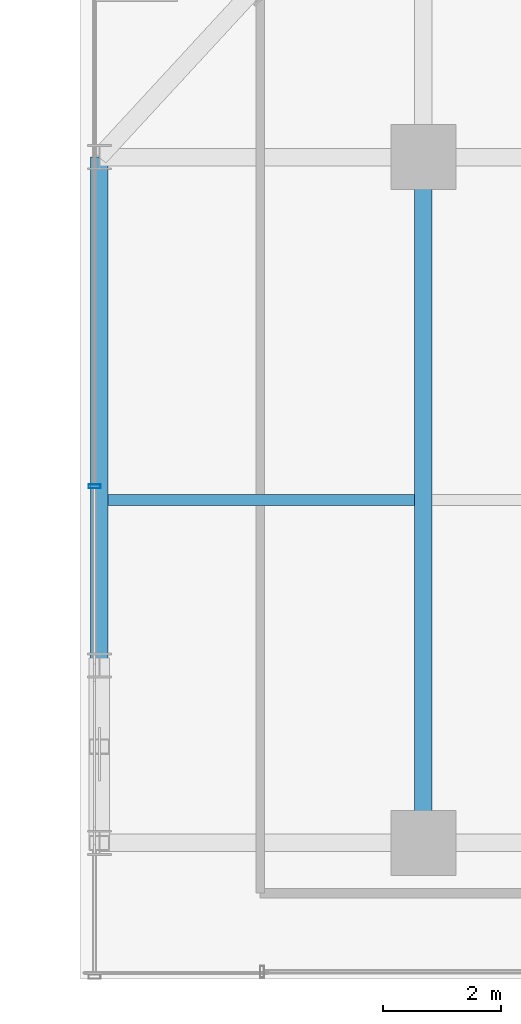
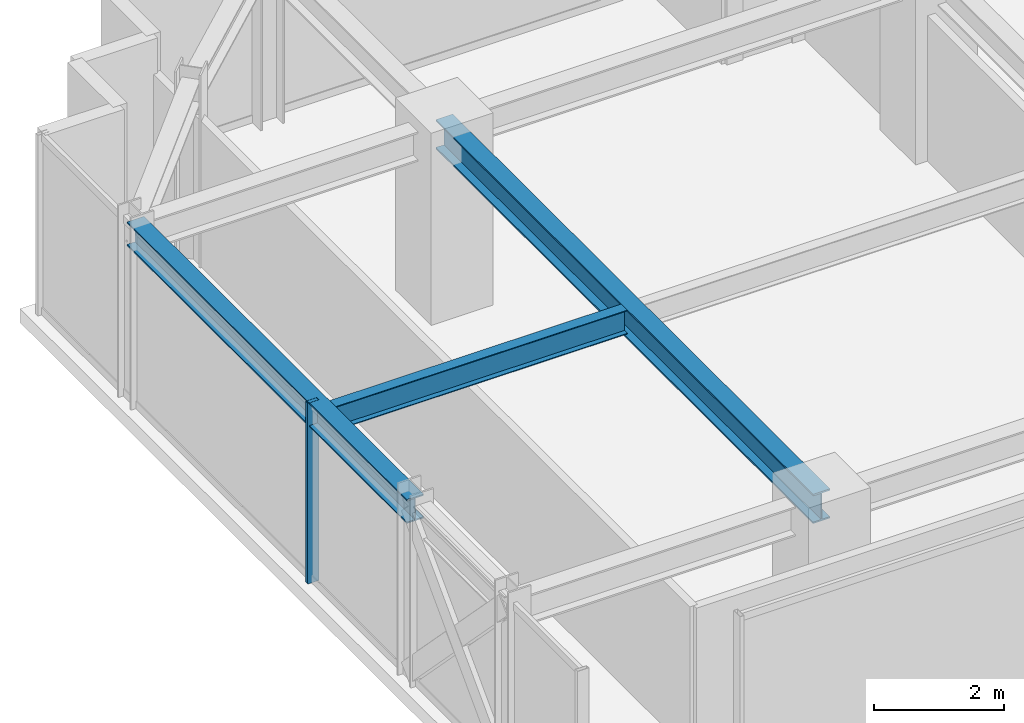
# One storey, part 20 of 36: 3 beams, 1 member, 1 element without a shape of its own.
"""IFC4 building model written with IfcOpenShell, lengths in metres."""

from ifc_helpers import new_model, si_unit, direction, frame, origin, origin_2d, place, context, subcontext, project, spatial, hollow_rectangle, i_section, extrude, source, transform, mapped, material, material_profile, profile_set, type_object, element, aggregate, save


model = new_model("IFC4")

# Units and contexts
model_context = context("Model", 3, precision=1e-05, world=origin(), true_north=direction((0.0, 1.0)))
body_context = subcontext(model_context, "Body", "Model", "MODEL_VIEW")
ifc_project = project(units=[si_unit("LENGTHUNIT", "METRE"), si_unit("AREAUNIT", "SQUARE_METRE"), si_unit("VOLUMEUNIT", "CUBIC_METRE"), si_unit("PLANEANGLEUNIT", "RADIAN"), si_unit("MASSUNIT", "GRAM", prefix="KILO")], contexts=[model_context])

# Site, building, storey
site_placement = place(None, origin())
site = spatial("IfcSite", under=ifc_project, at=site_placement, CompositionType="ELEMENT")
building_placement = place(site_placement, origin())
building = spatial("IfcBuilding", under=site, at=building_placement, Name="Nahalor Promenade Grand Hotel", CompositionType="ELEMENT")
storey_placement = place(building_placement, frame((0.0, 0.0, 170.89990234375)))
storey = spatial("IfcBuildingStorey", under=building, at=storey_placement, Name="L43", CompositionType="ELEMENT", Elevation=170.89990234375)

# Beams
ifc_material_1 = material(Name="Steel S355JR", Category="steel")
ifc_material_profile_1 = material_profile(ifc_material_1, i_section(OverallWidth=0.3, OverallDepth=0.55, WebThickness=0.015, FlangeThickness=0.029, at=origin_2d()), Name="HEB 550")
ifc_profile_set_1 = profile_set([ifc_material_profile_1], Name="Steel S355JR")
beam_type_1 = type_object("IfcBeamType", Name="Beam-Girder-HEB550", PredefinedType="BEAM", material=ifc_profile_set_1)
shared_shape_1 = source(origin(), body_context, "Body", "SweptSolid", [
    extrude(i_section(OverallWidth=0.3, OverallDepth=0.55, WebThickness=0.015, FlangeThickness=0.029, at=origin_2d()), origin(), (0.0, 0.0, 1.0), 11.60009765625),
])
beam_1_placement = place(storey_placement, frame((-17.0, 5.39990234375, 3.114990234375), z_axis=(0.0, 1.0, 0.0), x_axis=(-1.0, 0.0, 0.0)))
element("IfcBeam", 1, at=beam_1_placement, inside=storey, type_object=beam_type_1, Name="BM-L43-GY-0-3", PredefinedType="BEAM", context=body_context, shape_type="MappedRepresentation", body=[
    mapped(shared_shape_1, transform((0.0, 0.0, 0.0), scale=1.0)),
])
ifc_material_profile_2 = material_profile(ifc_material_1, i_section(OverallWidth=0.19, OverallDepth=0.45, WebThickness=0.0094, FlangeThickness=0.0146, at=origin_2d()), Name="IPE 450")
ifc_profile_set_2 = profile_set([ifc_material_profile_2], Name="Steel S355JR")
beam_type_2 = type_object("IfcBeamType", Name="Beam-Joist-IPE450", PredefinedType="JOIST", material=ifc_profile_set_2)
shared_shape_2 = source(origin(), body_context, "Body", "SweptSolid", [
    extrude(i_section(OverallWidth=0.19, OverallDepth=0.45, WebThickness=0.0094, FlangeThickness=0.0146, at=origin_2d()), origin(), (0.0, 0.0, 1.0), 5.18017578125),
])
beam_2_placement = place(storey_placement, frame((-22.330078125, 11.199951171875, 3.1650390625), z_axis=(1.0, 0.0, 0.0), x_axis=(0.0, 1.0, 0.0)))
element("IfcBeam", 2, at=beam_2_placement, inside=storey, type_object=beam_type_2, Name="BM-L43-JSW-1-0", PredefinedType="JOIST", context=body_context, shape_type="MappedRepresentation", body=[
    mapped(shared_shape_2, transform((0.0, 0.0, 0.0), scale=1.0)),
])
ifc_material_profile_3 = material_profile(ifc_material_1, i_section(OverallWidth=0.3, OverallDepth=0.45, WebThickness=0.014, FlangeThickness=0.026, at=origin_2d()), Name="HEB 450")
ifc_profile_set_3 = profile_set([ifc_material_profile_3], Name="Steel S355JR")
beam_type_3 = type_object("IfcBeamType", Name="Beam-Spandrel-HEB450", PredefinedType="SPANDREL", material=ifc_profile_set_3)
shared_shape_3 = source(origin(), body_context, "Body", "SweptSolid", [
    extrude(i_section(OverallWidth=0.3, OverallDepth=0.45, WebThickness=0.014, FlangeThickness=0.026, at=origin_2d()), origin(), (0.0, 0.0, 1.0), 8.60009765625),
])
beam_3_placement = place(storey_placement, frame((-22.47998046875, 8.39990234375, 3.1650390625), z_axis=(0.0, 1.0, 0.0), x_axis=(-1.0, 0.0, 0.0)))
element("IfcBeam", 3, at=beam_3_placement, inside=storey, type_object=beam_type_3, Name="BM-L43-SP-W-4", PredefinedType="SPANDREL", context=body_context, shape_type="MappedRepresentation", body=[
    mapped(shared_shape_3, transform((0.0, 0.0, 0.0), scale=1.0)),
])

# Curtain wall, member
ifc_material_2 = material(Name="Anodised Bronze Aluminium EN AW-6063 T6", Category="aluminium")
curtain_wall_type = type_object("IfcCurtainWallType", Name="CW3 Elliptical-Void Collar Unitised Curtain Wall", PredefinedType="USERDEFINED", material=ifc_material_2)
curtain_wall_placement = place(storey_placement, origin())
curtain_wall = element("IfcCurtainWall", 4, at=curtain_wall_placement, inside=storey, type_object=curtain_wall_type, Name="L43 Curtain Wall CW-L43-W-4", ObjectType="UNITISED_CURTAIN_WALL", PredefinedType="USERDEFINED")
ifc_material_profile_4 = material_profile(ifc_material_2, hollow_rectangle(XDim=0.07, YDim=0.2, WallThickness=0.005, at=origin_2d()), Name="CWM 70x200x5")
ifc_profile_set_4 = profile_set([ifc_material_profile_4], Name="Anodised Bronze Aluminium EN AW-6063 T6")
member_type = type_object("IfcMemberType", Name="CWM3 Void Collar Mullion 70x200", PredefinedType="MULLION", material=ifc_profile_set_4)
shared_shape_4 = source(origin(), body_context, "Body", "SweptSolid", [
    extrude(hollow_rectangle(XDim=0.07, YDim=0.2, WallThickness=0.005, at=origin_2d()), origin(), (0.0, 0.0, 1.0), 3.39013671875),
])
member_placement = place(storey_placement, frame((-22.56005859375, 11.429931640625, 0.0), z_axis=(0.0, 0.0, 1.0), x_axis=(0.0, 1.0, 0.0)))
member = element("IfcMember", 5, at=member_placement, type_object=member_type, Name="CW-L43-W-4 Mullion 1", PredefinedType="MULLION", context=body_context, shape_type="MappedRepresentation", body=[
    mapped(shared_shape_4, transform((0.0, 0.0, 0.0), scale=1.0)),
])
aggregate(curtain_wall, [member])

save(model, "model.ifc")
